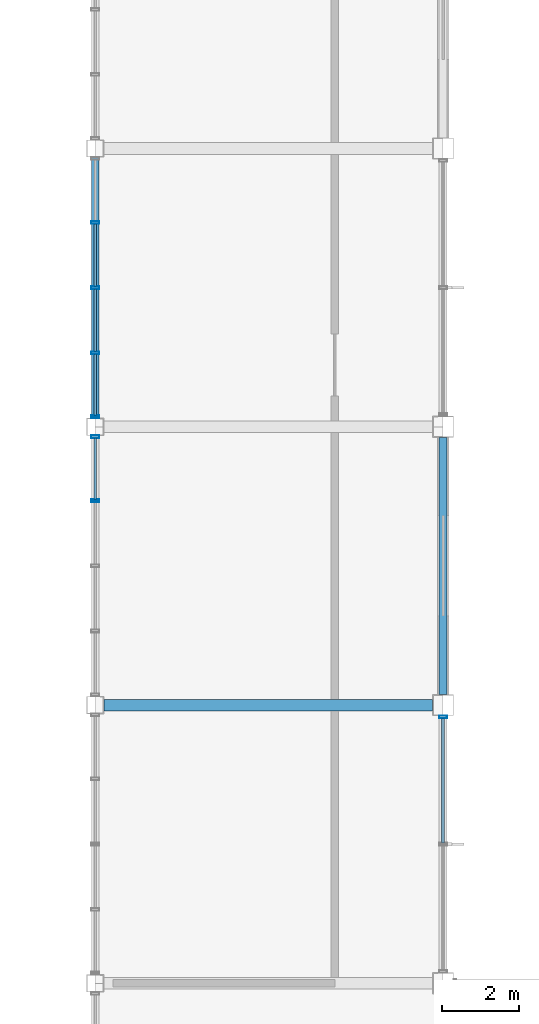
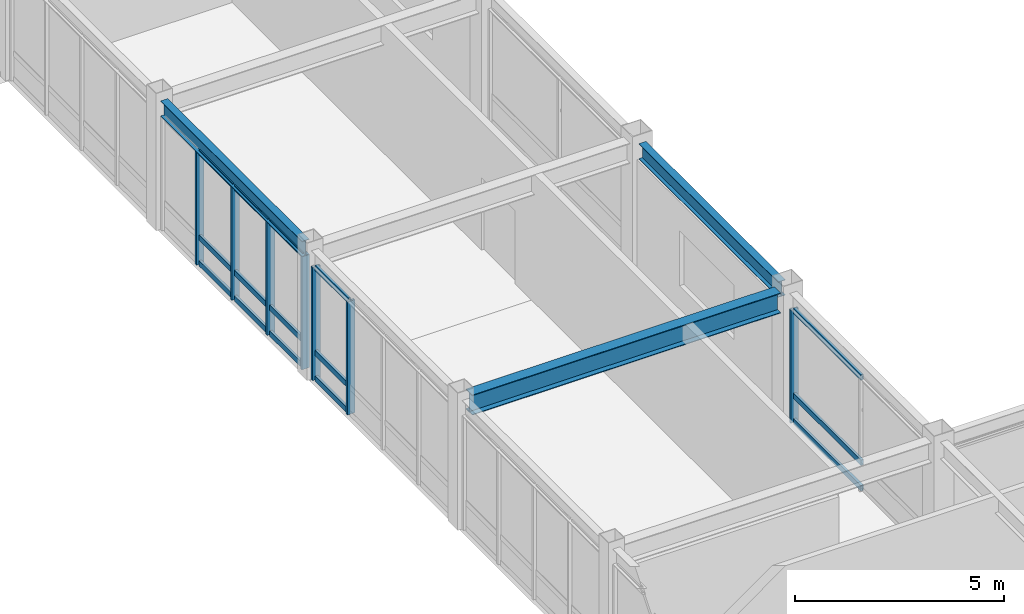
# One storey, part 35 of 113: 22 members, 3 beams, 3 elements without a shape of their own.
"""IFC4 building model written with IfcOpenShell, lengths in metres."""

from ifc_helpers import new_model, si_unit, direction, frame, origin, origin_2d, place, context, subcontext, project, spatial, hollow_rectangle, i_section, extrude, material, material_profile, profile_set, type_object, element, aggregate, save


model = new_model("IFC4")

# Units and contexts
model_context = context("Model", 3, precision=1e-05, world=origin(), true_north=direction((0.0, 1.0)))
body_context = subcontext(model_context, "Body", "Model", "MODEL_VIEW")
ifc_project = project(units=[si_unit("LENGTHUNIT", "METRE"), si_unit("AREAUNIT", "SQUARE_METRE"), si_unit("VOLUMEUNIT", "CUBIC_METRE"), si_unit("PLANEANGLEUNIT", "RADIAN"), si_unit("MASSUNIT", "GRAM", prefix="KILO")], contexts=[model_context])

# Site, building, storey
site_placement = place(None, origin())
site = spatial("IfcSite", under=ifc_project, at=site_placement, CompositionType="ELEMENT")
building_placement = place(site_placement, origin())
building = spatial("IfcBuilding", under=site, at=building_placement, Name="Kazanami Central Library", CompositionType="ELEMENT")
storey_placement = place(building_placement, frame((0.0, 0.0, 8.800048828125)))
storey = spatial("IfcBuildingStorey", under=building, at=storey_placement, Name="L03", CompositionType="ELEMENT", Elevation=8.800048828125)

# Beams
ifc_material_1 = material(Name="Steel SN490B (325 MPa)", Category="steel")
ifc_material_profile_1 = material_profile(ifc_material_1, i_section(OverallWidth=0.300048828125, OverallDepth=0.587890625, WebThickness=0.011962890625, FlangeThickness=0.02001953125, at=origin_2d()), Name="H-588x300x12x20")
ifc_profile_set_1 = profile_set([ifc_material_profile_1], Name="Steel SN490B (325 MPa)")
beam_type_1 = type_object("IfcBeamType", Name="BM-G-X2", PredefinedType="BEAM", material=ifc_profile_set_1)
beam_1_placement = place(storey_placement, frame((45.222900390625, 43.199951171875, 3.450927734375), z_axis=(1.0, 0.0, 0.0), x_axis=(0.0, 1.0, 0.0)))
element("IfcBeam", 1, at=beam_1_placement, inside=storey, type_object=beam_type_1, Name="Girder G-X2 L03 G/6-7", PredefinedType="BEAM", context=body_context, shape_type="SweptSolid", body=[
    extrude(i_section(OverallWidth=0.300048828125, OverallDepth=0.587890625, WebThickness=0.011962890625, FlangeThickness=0.02001953125, at=origin_2d()), origin(), (0.0, 0.0, 1.0), 8.504150390625),
])
ifc_material_profile_2 = material_profile(ifc_material_1, i_section(OverallWidth=0.199951171875, OverallDepth=0.449951171875, WebThickness=0.009033203125, FlangeThickness=0.013916015625, at=origin_2d()), Name="H-450x200x9x14")
ifc_profile_set_2 = profile_set([ifc_material_profile_2], Name="Steel SN490B (325 MPa)")
beam_type_2 = type_object("IfcBeamType", Name="BM-SP-2", PredefinedType="SPANDREL", material=ifc_profile_set_2)
beam_2_placement = place(storey_placement, frame((45.0, 50.623046875, 3.52001953125), z_axis=(0.0, 1.0, 0.0), x_axis=(-1.0, 0.0, 0.0)))
element("IfcBeam", 2, at=beam_2_placement, inside=storey, type_object=beam_type_2, Name="Girder SP-2 L03 6/H-J", PredefinedType="SPANDREL", context=body_context, shape_type="SweptSolid", body=[
    extrude(i_section(OverallWidth=0.199951171875, OverallDepth=0.449951171875, WebThickness=0.009033203125, FlangeThickness=0.013916015625, at=origin_2d()), origin(), (0.0, 0.0, 1.0), 6.75390625),
])
beam_3_placement = place(storey_placement, frame((54.0, 43.472900390625, 3.52001953125), z_axis=(0.0, 1.0, 0.0), x_axis=(-1.0, 0.0, 0.0)))
element("IfcBeam", 3, at=beam_3_placement, inside=storey, type_object=beam_type_2, Name="Girder SP-2 L03 7/G-H", PredefinedType="SPANDREL", context=body_context, shape_type="SweptSolid", body=[
    extrude(i_section(OverallWidth=0.199951171875, OverallDepth=0.449951171875, WebThickness=0.009033203125, FlangeThickness=0.013916015625, at=origin_2d()), origin(), (0.0, 0.0, 1.0), 6.654052734375),
])

# Curtain wall, members
ifc_material_2 = material(Name="Acid-Etched Low-E Laminated Glass", Category="glass")
curtain_wall_type_1 = type_object("IfcCurtainWallType", Name="CW-6750x3295-M180", PredefinedType="USERDEFINED", material=ifc_material_2)
curtain_wall_1_placement = place(storey_placement, origin())
curtain_wall_1 = element("IfcCurtainWall", 4, at=curtain_wall_1_placement, inside=storey, type_object=curtain_wall_type_1, Name="Covered Link Bridge Curtain Wall CW-32 L03 W-6-06", ObjectType="UNITISED CURTAIN WALL", PredefinedType="USERDEFINED")
ifc_material_3 = material(Name="Anodised Aluminium A6063-T5", Category="aluminium")
ifc_material_profile_3 = material_profile(ifc_material_3, hollow_rectangle(XDim=0.070068359375, YDim=0.2099609375, WallThickness=0.0048828125, at=origin_2d()), Name="ALU-MULL-70x210x5")
ifc_profile_set_3 = profile_set([ifc_material_profile_3], Name="Anodised Aluminium A6063-T5")
member_type_1 = type_object("IfcMemberType", Name="MEM-CW-M1", PredefinedType="MULLION", material=ifc_profile_set_3)
member_1_placement = place(storey_placement, frame((45.0, 48.487548828125, 0.0), z_axis=(0.0, 0.0, 1.0), x_axis=(0.0, 1.0, 0.0)))
member_1 = element("IfcMember", 5, at=member_1_placement, type_object=member_type_1, Name="CW-32 mullion 4", PredefinedType="MULLION", context=body_context, shape_type="SweptSolid", body=[
    extrude(hollow_rectangle(XDim=0.070068359375, YDim=0.2099609375, WallThickness=0.0048828125, at=origin_2d()), origin(), (0.0, 0.0, 1.0), 3.294921875),
])
member_2_placement = place(storey_placement, frame((45.0, 50.139892578125, 0.0), z_axis=(0.0, 0.0, 1.0), x_axis=(0.0, 1.0, 0.0)))
member_2 = element("IfcMember", 6, at=member_2_placement, type_object=member_type_1, Name="CW-32 mullion 5", PredefinedType="MULLION", context=body_context, shape_type="SweptSolid", body=[
    extrude(hollow_rectangle(XDim=0.070068359375, YDim=0.2099609375, WallThickness=0.0048828125, at=origin_2d()), origin(), (0.0, 0.0, 1.0), 3.294921875),
])

curtain_wall_2_placement = place(storey_placement, origin())
curtain_wall_2 = element("IfcCurtainWall", 7, at=curtain_wall_2_placement, inside=storey, type_object=curtain_wall_type_1, Name="Covered Link Bridge Curtain Wall CW-32 L03 W-6-07", ObjectType="UNITISED CURTAIN WALL", PredefinedType="USERDEFINED")
member_3_placement = place(storey_placement, frame((45.0, 50.659912109375, 0.0), z_axis=(0.0, 0.0, 1.0), x_axis=(0.0, 1.0, 0.0)))
member_3 = element("IfcMember", 8, at=member_3_placement, type_object=member_type_1, Name="CW-32 mullion 1", PredefinedType="MULLION", context=body_context, shape_type="SweptSolid", body=[
    extrude(hollow_rectangle(XDim=0.070068359375, YDim=0.2099609375, WallThickness=0.0048828125, at=origin_2d()), origin(), (0.0, 0.0, 1.0), 3.294921875),
])
member_4_placement = place(storey_placement, frame((45.0, 52.3125, 0.0), z_axis=(0.0, 0.0, 1.0), x_axis=(0.0, 1.0, 0.0)))
member_4 = element("IfcMember", 9, at=member_4_placement, type_object=member_type_1, Name="CW-32 mullion 2", PredefinedType="MULLION", context=body_context, shape_type="SweptSolid", body=[
    extrude(hollow_rectangle(XDim=0.070068359375, YDim=0.2099609375, WallThickness=0.0048828125, at=origin_2d()), origin(), (0.0, 0.0, 1.0), 3.294921875),
])
member_5_placement = place(storey_placement, frame((45.0, 54.0, 0.0), z_axis=(0.0, 0.0, 1.0), x_axis=(0.0, 1.0, 0.0)))
member_5 = element("IfcMember", 10, at=member_5_placement, type_object=member_type_1, Name="CW-32 mullion 3", PredefinedType="MULLION", context=body_context, shape_type="SweptSolid", body=[
    extrude(hollow_rectangle(XDim=0.070068359375, YDim=0.2099609375, WallThickness=0.0048828125, at=origin_2d()), origin(), (0.0, 0.0, 1.0), 3.294921875),
])
member_6_placement = place(storey_placement, frame((45.0, 55.6875, 0.0), z_axis=(0.0, 0.0, 1.0), x_axis=(0.0, 1.0, 0.0)))
member_6 = element("IfcMember", 11, at=member_6_placement, type_object=member_type_1, Name="CW-32 mullion 4", PredefinedType="MULLION", context=body_context, shape_type="SweptSolid", body=[
    extrude(hollow_rectangle(XDim=0.070068359375, YDim=0.2099609375, WallThickness=0.0048828125, at=origin_2d()), origin(), (0.0, 0.0, 1.0), 3.294921875),
])

# Curtain wall, member
curtain_wall_type_2 = type_object("IfcCurtainWallType", Name="CW-6650x3295-M275", PredefinedType="USERDEFINED", material=ifc_material_2)
curtain_wall_3_placement = place(storey_placement, origin())
curtain_wall_3 = element("IfcCurtainWall", 12, at=curtain_wall_3_placement, inside=storey, type_object=curtain_wall_type_2, Name="Unitised Curtain Wall CW-35 L03 E-7-05", ObjectType="UNITISED CURTAIN WALL", PredefinedType="USERDEFINED")
member_7_placement = place(storey_placement, frame((54.0, 42.889892578125, 0.0), z_axis=(0.0, 0.0, 1.0), x_axis=(0.0, -1.0, 0.0)))
member_7 = element("IfcMember", 13, at=member_7_placement, type_object=member_type_1, Name="CW-35 mullion 1", PredefinedType="MULLION", context=body_context, shape_type="SweptSolid", body=[
    extrude(hollow_rectangle(XDim=0.070068359375, YDim=0.2099609375, WallThickness=0.0048828125, at=origin_2d()), origin(), (0.0, 0.0, 1.0), 3.294921875),
])

# Member
ifc_material_profile_4 = material_profile(ifc_material_3, hollow_rectangle(XDim=0.070068359375, YDim=0.159912109375, WallThickness=0.00390625, at=origin_2d()), Name="ALU-TRAN-70x160x4")
ifc_profile_set_4 = profile_set([ifc_material_profile_4], Name="Anodised Aluminium A6063-T5")
member_type_2 = type_object("IfcMemberType", Name="MEM-CW-T1", PredefinedType="USERDEFINED", material=ifc_profile_set_4)
member_8_placement = place(storey_placement, frame((45.0, 48.5224609375, 0.034912109375), z_axis=(0.0, 1.0, 0.0), x_axis=(-1.0, 0.0, 0.0)))
member_8 = element("IfcMember", 14, at=member_8_placement, type_object=member_type_2, Name="CW-32 transom 4.1", ObjectType="TRANSOM", PredefinedType="USERDEFINED", context=body_context, shape_type="SweptSolid", body=[
    extrude(hollow_rectangle(XDim=0.070068359375, YDim=0.159912109375, WallThickness=0.00390625, at=origin_2d()), origin(), (0.0, 0.0, 1.0), 1.58251953125),
])

member_9_placement = place(storey_placement, frame((45.0, 48.5224609375, 0.780029296875), z_axis=(0.0, 1.0, 0.0), x_axis=(-1.0, 0.0, 0.0)))
member_9 = element("IfcMember", 15, at=member_9_placement, type_object=member_type_2, Name="CW-32 transom 4.2", ObjectType="TRANSOM", PredefinedType="USERDEFINED", context=body_context, shape_type="SweptSolid", body=[
    extrude(hollow_rectangle(XDim=0.070068359375, YDim=0.159912109375, WallThickness=0.00390625, at=origin_2d()), origin(), (0.0, 0.0, 1.0), 1.58251953125),
])

member_10_placement = place(storey_placement, frame((45.0, 48.5224609375, 3.260009765625), z_axis=(0.0, 1.0, 0.0), x_axis=(-1.0, 0.0, 0.0)))
member_10 = element("IfcMember", 16, at=member_10_placement, type_object=member_type_2, Name="CW-32 transom 4.3", ObjectType="TRANSOM", PredefinedType="USERDEFINED", context=body_context, shape_type="SweptSolid", body=[
    extrude(hollow_rectangle(XDim=0.070068359375, YDim=0.159912109375, WallThickness=0.00390625, at=origin_2d()), origin(), (0.0, 0.0, 1.0), 1.58251953125),
])

aggregate(curtain_wall_1, [member_1, member_2, member_8, member_9, member_10])

member_11_placement = place(storey_placement, frame((45.0, 50.695068359375, 0.034912109375), z_axis=(0.0, 1.0, 0.0), x_axis=(-1.0, 0.0, 0.0)))
member_11 = element("IfcMember", 17, at=member_11_placement, type_object=member_type_2, Name="CW-32 transom 1.1", ObjectType="TRANSOM", PredefinedType="USERDEFINED", context=body_context, shape_type="SweptSolid", body=[
    extrude(hollow_rectangle(XDim=0.070068359375, YDim=0.159912109375, WallThickness=0.00390625, at=origin_2d()), origin(), (0.0, 0.0, 1.0), 1.58251953125),
])

member_12_placement = place(storey_placement, frame((45.0, 50.695068359375, 0.780029296875), z_axis=(0.0, 1.0, 0.0), x_axis=(-1.0, 0.0, 0.0)))
member_12 = element("IfcMember", 18, at=member_12_placement, type_object=member_type_2, Name="CW-32 transom 1.2", ObjectType="TRANSOM", PredefinedType="USERDEFINED", context=body_context, shape_type="SweptSolid", body=[
    extrude(hollow_rectangle(XDim=0.070068359375, YDim=0.159912109375, WallThickness=0.00390625, at=origin_2d()), origin(), (0.0, 0.0, 1.0), 1.58251953125),
])

member_13_placement = place(storey_placement, frame((45.0, 50.695068359375, 3.260009765625), z_axis=(0.0, 1.0, 0.0), x_axis=(-1.0, 0.0, 0.0)))
member_13 = element("IfcMember", 19, at=member_13_placement, type_object=member_type_2, Name="CW-32 transom 1.3", ObjectType="TRANSOM", PredefinedType="USERDEFINED", context=body_context, shape_type="SweptSolid", body=[
    extrude(hollow_rectangle(XDim=0.070068359375, YDim=0.159912109375, WallThickness=0.00390625, at=origin_2d()), origin(), (0.0, 0.0, 1.0), 1.58251953125),
])

member_14_placement = place(storey_placement, frame((45.0, 52.347412109375, 0.034912109375), z_axis=(0.0, 1.0, 0.0), x_axis=(-1.0, 0.0, 0.0)))
member_14 = element("IfcMember", 20, at=member_14_placement, type_object=member_type_2, Name="CW-32 transom 2.1", ObjectType="TRANSOM", PredefinedType="USERDEFINED", context=body_context, shape_type="SweptSolid", body=[
    extrude(hollow_rectangle(XDim=0.070068359375, YDim=0.159912109375, WallThickness=0.00390625, at=origin_2d()), origin(), (0.0, 0.0, 1.0), 1.61767578125),
])

member_15_placement = place(storey_placement, frame((45.0, 52.347412109375, 0.780029296875), z_axis=(0.0, 1.0, 0.0), x_axis=(-1.0, 0.0, 0.0)))
member_15 = element("IfcMember", 21, at=member_15_placement, type_object=member_type_2, Name="CW-32 transom 2.2", ObjectType="TRANSOM", PredefinedType="USERDEFINED", context=body_context, shape_type="SweptSolid", body=[
    extrude(hollow_rectangle(XDim=0.070068359375, YDim=0.159912109375, WallThickness=0.00390625, at=origin_2d()), origin(), (0.0, 0.0, 1.0), 1.61767578125),
])

member_16_placement = place(storey_placement, frame((45.0, 52.347412109375, 3.260009765625), z_axis=(0.0, 1.0, 0.0), x_axis=(-1.0, 0.0, 0.0)))
member_16 = element("IfcMember", 22, at=member_16_placement, type_object=member_type_2, Name="CW-32 transom 2.3", ObjectType="TRANSOM", PredefinedType="USERDEFINED", context=body_context, shape_type="SweptSolid", body=[
    extrude(hollow_rectangle(XDim=0.070068359375, YDim=0.159912109375, WallThickness=0.00390625, at=origin_2d()), origin(), (0.0, 0.0, 1.0), 1.61767578125),
])

member_17_placement = place(storey_placement, frame((45.0, 54.034912109375, 0.034912109375), z_axis=(0.0, 1.0, 0.0), x_axis=(-1.0, 0.0, 0.0)))
member_17 = element("IfcMember", 23, at=member_17_placement, type_object=member_type_2, Name="CW-32 transom 3.1", ObjectType="TRANSOM", PredefinedType="USERDEFINED", context=body_context, shape_type="SweptSolid", body=[
    extrude(hollow_rectangle(XDim=0.070068359375, YDim=0.159912109375, WallThickness=0.00390625, at=origin_2d()), origin(), (0.0, 0.0, 1.0), 1.61767578125),
])

member_18_placement = place(storey_placement, frame((45.0, 54.034912109375, 0.780029296875), z_axis=(0.0, 1.0, 0.0), x_axis=(-1.0, 0.0, 0.0)))
member_18 = element("IfcMember", 24, at=member_18_placement, type_object=member_type_2, Name="CW-32 transom 3.2", ObjectType="TRANSOM", PredefinedType="USERDEFINED", context=body_context, shape_type="SweptSolid", body=[
    extrude(hollow_rectangle(XDim=0.070068359375, YDim=0.159912109375, WallThickness=0.00390625, at=origin_2d()), origin(), (0.0, 0.0, 1.0), 1.61767578125),
])

member_19_placement = place(storey_placement, frame((45.0, 54.034912109375, 3.260009765625), z_axis=(0.0, 1.0, 0.0), x_axis=(-1.0, 0.0, 0.0)))
member_19 = element("IfcMember", 25, at=member_19_placement, type_object=member_type_2, Name="CW-32 transom 3.3", ObjectType="TRANSOM", PredefinedType="USERDEFINED", context=body_context, shape_type="SweptSolid", body=[
    extrude(hollow_rectangle(XDim=0.070068359375, YDim=0.159912109375, WallThickness=0.00390625, at=origin_2d()), origin(), (0.0, 0.0, 1.0), 1.61767578125),
])

aggregate(curtain_wall_2, [member_3, member_4, member_5, member_6, member_11, member_12, member_13, member_14, member_15, member_16, member_17, member_18, member_19])

member_20_placement = place(storey_placement, frame((54.0, 42.85498046875, 0.034912109375), z_axis=(0.0, -1.0, 0.0), x_axis=(1.0, 0.0, 0.0)))
member_20 = element("IfcMember", 26, at=member_20_placement, type_object=member_type_2, Name="CW-35 transom 1.1", ObjectType="TRANSOM", PredefinedType="USERDEFINED", context=body_context, shape_type="SweptSolid", body=[
    extrude(hollow_rectangle(XDim=0.070068359375, YDim=0.159912109375, WallThickness=0.00390625, at=origin_2d()), origin(), (0.0, 0.0, 1.0), 3.219970703125),
])

member_21_placement = place(storey_placement, frame((54.0, 42.85498046875, 0.780029296875), z_axis=(0.0, -1.0, 0.0), x_axis=(1.0, 0.0, 0.0)))
member_21 = element("IfcMember", 27, at=member_21_placement, type_object=member_type_2, Name="CW-35 transom 1.2", ObjectType="TRANSOM", PredefinedType="USERDEFINED", context=body_context, shape_type="SweptSolid", body=[
    extrude(hollow_rectangle(XDim=0.070068359375, YDim=0.159912109375, WallThickness=0.00390625, at=origin_2d()), origin(), (0.0, 0.0, 1.0), 3.219970703125),
])

member_22_placement = place(storey_placement, frame((54.0, 42.85498046875, 3.260009765625), z_axis=(0.0, -1.0, 0.0), x_axis=(1.0, 0.0, 0.0)))
member_22 = element("IfcMember", 28, at=member_22_placement, type_object=member_type_2, Name="CW-35 transom 1.3", ObjectType="TRANSOM", PredefinedType="USERDEFINED", context=body_context, shape_type="SweptSolid", body=[
    extrude(hollow_rectangle(XDim=0.070068359375, YDim=0.159912109375, WallThickness=0.00390625, at=origin_2d()), origin(), (0.0, 0.0, 1.0), 3.219970703125),
])

aggregate(curtain_wall_3, [member_7, member_20, member_21, member_22])

save(model, "model.ifc")
